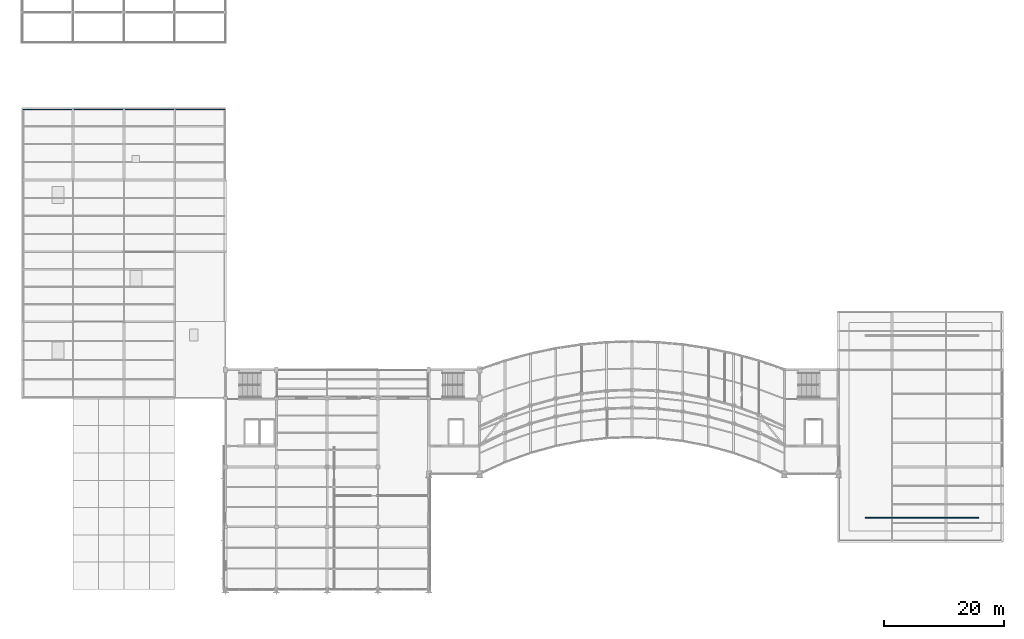
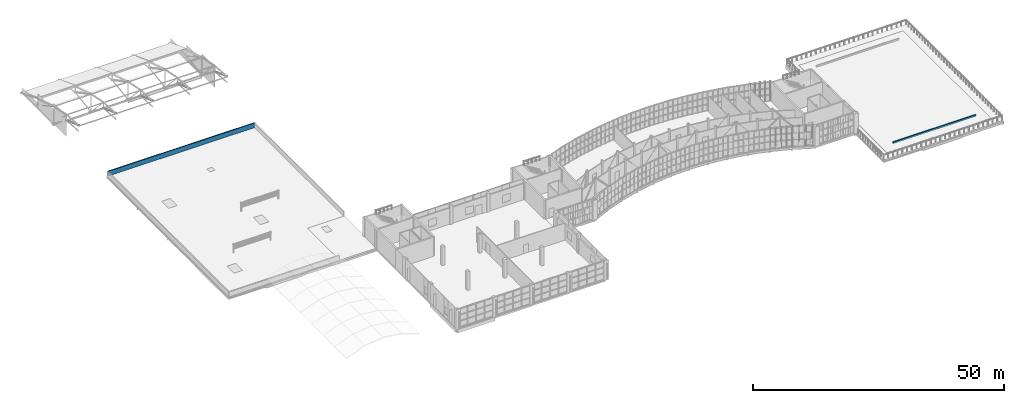
# One storey, part 55 of 66: 2 walls.
"""IFC4 building model written with IfcOpenShell, lengths in metres."""

from ifc_helpers import new_model, si_unit, direction, frame, frame_2d, origin, place, context, subcontext, project, spatial, rectangle, extrude, material, layer, layer_set, type_object, element, save


model = new_model("IFC4")

# Units and contexts
model_context = context("Model", 3, precision=1e-05, world=origin(), true_north=direction((0.0, 1.0)))
body_context = subcontext(model_context, "Body", "Model", "MODEL_VIEW")
ifc_project = project(units=[si_unit("LENGTHUNIT", "METRE"), si_unit("AREAUNIT", "SQUARE_METRE"), si_unit("VOLUMEUNIT", "CUBIC_METRE"), si_unit("PLANEANGLEUNIT", "RADIAN"), si_unit("MASSUNIT", "GRAM", prefix="KILO")], contexts=[model_context])

# Site, building, storey
site_placement = place(None, origin())
site = spatial("IfcSite", under=ifc_project, at=site_placement, CompositionType="ELEMENT")
building_placement = place(site_placement, origin())
building = spatial("IfcBuilding", under=site, at=building_placement, Name="Solvikara Media Centre", CompositionType="ELEMENT")
storey_placement = place(building_placement, frame((0.0, 0.0, 19.800048828125)))
storey = spatial("IfcBuildingStorey", under=building, at=storey_placement, Name="L04", CompositionType="ELEMENT", Elevation=19.800048828125)

# Walls
ifc_material = material(Name="Precast concrete fc' 40 MPa (C40/50)", Category="concrete")
ifc_layer_1 = layer(ifc_material, 0.22998046875)
ifc_layer_set_1 = layer_set([ifc_layer_1], Name="Precast concrete fc' 40 MPa (C40/50)")
wall_type_1 = type_object("IfcWallType", Name="WT-14", PredefinedType="PARAPET", material=ifc_layer_set_1)
wall_1_placement = place(storey_placement, frame((0.1201171875, 80.3798828125, 0.0), z_axis=(0.0, 0.0, 1.0), x_axis=(1.0, 0.0, 0.0)))
element("IfcWall", 1, at=wall_1_placement, inside=storey, type_object=wall_type_1, Name="PRP-L04-03", PredefinedType="PARAPET", context=body_context, shape_type="SweptSolid", body=[
    extrude(rectangle(XDim=33.759765625, YDim=0.22998046875, at=frame_2d((16.8798828125, 0.0))), origin(), (0.0, 0.0, 1.0), 1.14990234375),
])
ifc_layer_2 = layer(ifc_material, 0.18994140625)
ifc_layer_set_2 = layer_set([ifc_layer_2], Name="Precast concrete fc' 40 MPa (C40/50)")
wall_type_2 = type_object("IfcWallType", Name="WT-15", PredefinedType="PARAPET", material=ifc_layer_set_2)
wall_2_placement = place(storey_placement, frame((141.0, 12.0, 0.0), z_axis=(0.0, 0.0, 1.0), x_axis=(1.0, 0.0, 0.0)))
element("IfcWall", 2, at=wall_2_placement, inside=storey, type_object=wall_type_2, Name="KRB-L04-01", PredefinedType="PARAPET", context=body_context, shape_type="SweptSolid", body=[
    extrude(rectangle(XDim=19.0, YDim=0.18994140625, at=frame_2d((9.5, 0.0))), origin(), (0.0, 0.0, 1.0), 0.449951171875),
])

save(model, "model.ifc")
